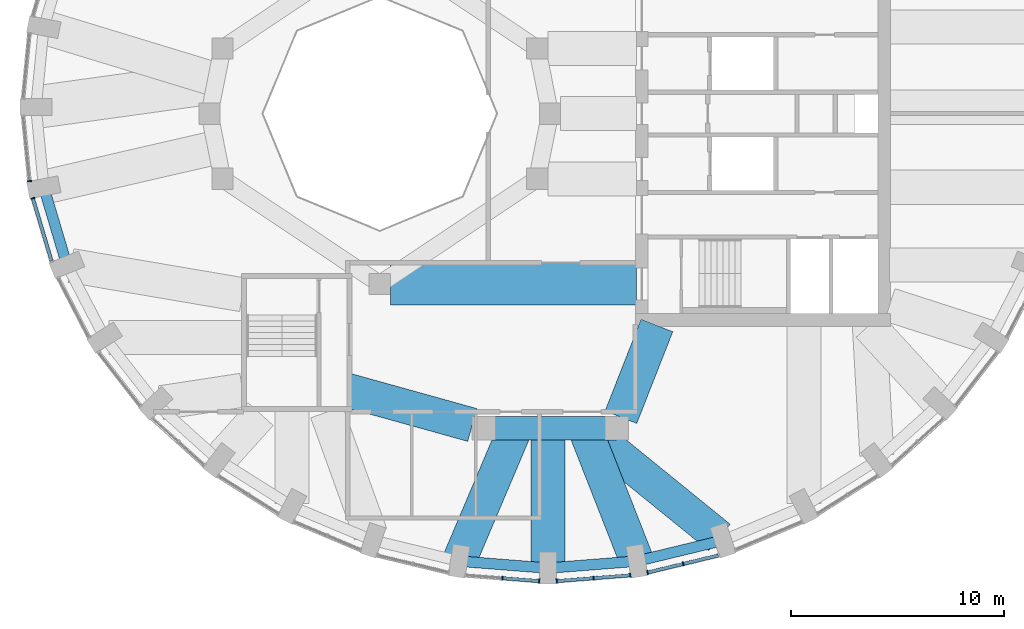
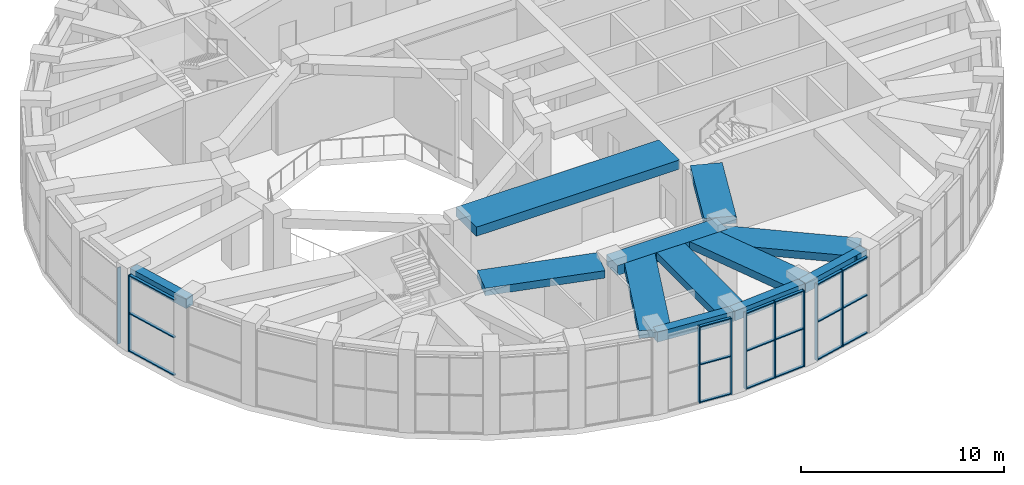
# One storey, part 3 of 16: 27 members, 12 beams, 5 elements without a shape of their own.
"""IFC4 building model written with IfcOpenShell, lengths in metres."""

from ifc_helpers import new_model, si_unit, direction, frame, origin, origin_2d, place, context, subcontext, project, spatial, rectangle, extrude, material, material_profile, profile_set, type_object, element, aggregate, save


model = new_model("IFC4")

# Units and contexts
model_context = context("Model", 3, precision=1e-05, world=origin(), true_north=direction((0.0, 1.0)))
body_context = subcontext(model_context, "Body", "Model", "MODEL_VIEW")
ifc_project = project(units=[si_unit("LENGTHUNIT", "METRE"), si_unit("AREAUNIT", "SQUARE_METRE"), si_unit("VOLUMEUNIT", "CUBIC_METRE"), si_unit("PLANEANGLEUNIT", "RADIAN"), si_unit("MASSUNIT", "GRAM", prefix="KILO")], contexts=[model_context])

# Site, building, storey
site_placement = place(None, origin())
site = spatial("IfcSite", under=ifc_project, at=site_placement, CompositionType="ELEMENT")
building_placement = place(site_placement, origin())
building = spatial("IfcBuilding", under=site, at=building_placement, Name="Taillehof Tower", CompositionType="ELEMENT")
storey_placement = place(building_placement, frame((0.0, 0.0, 264.199951171875)))
storey = spatial("IfcBuildingStorey", under=building, at=storey_placement, Name="L75", CompositionType="ELEMENT", Elevation=264.199951171875)

# Beams
ifc_material_1 = material(Name="Concrete C50/60", Category="concrete")
ifc_material_profile_1 = material_profile(ifc_material_1, rectangle(XDim=1.10009765625, YDim=0.60009765625, at=origin_2d()), Name="RC 1100x600")
ifc_profile_set_1 = profile_set([ifc_material_profile_1], Name="Concrete C50/60")
beam_type_1 = type_object("IfcBeamType", Name="Mid-ring beam C50/60 1100x600", PredefinedType="BEAM", material=ifc_profile_set_1)
beam_1_placement = place(storey_placement, frame((-3.125732421875, -14.772216796875, 4.2900390625), z_axis=(1.0, 0.0, 0.0), x_axis=(0.0, 1.0, 0.0)))
element("IfcBeam", 1, at=beam_1_placement, inside=storey, type_object=beam_type_1, Name="Mid-ring beam MB02", PredefinedType="BEAM", context=body_context, shape_type="SweptSolid", body=[
    extrude(rectangle(XDim=1.10009765625, YDim=0.60009765625, at=origin_2d()), origin(), (0.0, 0.0, 1.0), 6.25146484375),
])
ifc_material_2 = material(Name="Concrete C50/60", Category="concrete")
ifc_material_profile_2 = material_profile(ifc_material_2, rectangle(XDim=1.60009765625, YDim=0.449951171875, at=origin_2d()), Name="RC 1600x450")
ifc_profile_set_2 = profile_set([ifc_material_profile_2], Name="Concrete C50/60")
beam_type_2 = type_object("IfcBeamType", Name="Radial band beam C50/60 1600x450", PredefinedType="BEAM", material=ifc_profile_set_2)
beam_2_placement = place(storey_placement, frame((-4.276123046875, -21.02099609375, 4.364990234375), z_axis=(0.390474101739, 0.920613912491, 0.0), x_axis=(-0.920613912491, 0.390474101739, 0.0)))
element("IfcBeam", 2, at=beam_2_placement, inside=storey, type_object=beam_type_2, Name="Radial band beam RB27", PredefinedType="BEAM", context=body_context, shape_type="SweptSolid", body=[
    extrude(rectangle(XDim=1.60009765625, YDim=0.449951171875, at=origin_2d()), origin(), (0.0, 0.0, 1.0), 6.78759765625),
])
beam_3_placement = place(storey_placement, frame((-0.10009765625, -21.35009765625, 4.364990234375), z_axis=(0.0, 1.0, 0.0), x_axis=(-1.0, 0.0, 0.0)))
element("IfcBeam", 3, at=beam_3_placement, inside=storey, type_object=beam_type_2, Name="Radial band beam RB28", PredefinedType="BEAM", context=body_context, shape_type="SweptSolid", body=[
    extrude(rectangle(XDim=1.60009765625, YDim=0.449951171875, at=origin_2d()), origin(), (0.0, 0.0, 1.0), 6.577880859375),
])
beam_4_placement = place(storey_placement, frame((4.076171875, -21.02099609375, 4.364990234375), z_axis=(-0.365079492969, 0.93097634976, 0.0), x_axis=(-0.93097634976, -0.365079492969, 0.0)))
element("IfcBeam", 4, at=beam_4_placement, inside=storey, type_object=beam_type_2, Name="Radial band beam RB29", PredefinedType="BEAM", context=body_context, shape_type="SweptSolid", body=[
    extrude(rectangle(XDim=1.60009765625, YDim=0.449951171875, at=origin_2d()), origin(), (0.0, 0.0, 1.0), 6.712158203125),
])
beam_5_placement = place(storey_placement, frame((7.9560546875, -19.90673828125, 4.364990234375), z_axis=(-0.776646099525, 0.629937168369, 0.0), x_axis=(-0.629937168369, -0.776646099525, 0.0)))
element("IfcBeam", 5, at=beam_5_placement, inside=storey, type_object=beam_type_2, Name="Radial band beam RB30", PredefinedType="BEAM", context=body_context, shape_type="SweptSolid", body=[
    extrude(rectangle(XDim=1.60009765625, YDim=0.449951171875, at=origin_2d()), origin(), (0.0, 0.0, 1.0), 8.03759765625),
])
beam_6_placement = place(storey_placement, frame((-3.655517578125, -14.624755859375, 4.364990234375), z_axis=(-0.963459369536, 0.267854518821, 0.0), x_axis=(-0.267854518821, -0.963459369536, 0.0)))
element("IfcBeam", 6, at=beam_6_placement, inside=storey, type_object=beam_type_2, Name="Inner band beam IB214", PredefinedType="BEAM", context=body_context, shape_type="SweptSolid", body=[
    extrude(rectangle(XDim=1.60009765625, YDim=0.449951171875, at=origin_2d()), origin(), (0.0, 0.0, 1.0), 6.096923828125),
])
beam_7_placement = place(storey_placement, frame((3.32666015625, -14.26025390625, 4.364990234375), z_axis=(0.365588707223, 0.930776502255, 0.0), x_axis=(-0.930776502255, 0.365588707223, 0.0)))
element("IfcBeam", 7, at=beam_7_placement, inside=storey, type_object=beam_type_2, Name="Inner band beam IB215", PredefinedType="BEAM", context=body_context, shape_type="SweptSolid", body=[
    extrude(rectangle(XDim=1.60009765625, YDim=0.449951171875, at=origin_2d()), origin(), (0.0, 0.0, 1.0), 4.627197265625),
])
ifc_material_3 = material(Name="Concrete C50/60", Category="concrete")
ifc_material_profile_3 = material_profile(ifc_material_3, rectangle(XDim=2.0, YDim=0.550048828125, at=origin_2d()), Name="RC 2000x550")
ifc_profile_set_3 = profile_set([ifc_material_profile_3], Name="Concrete C50/60")
beam_type_3 = type_object("IfcBeamType", Name="Radial band beam C50/60 2000x550", PredefinedType="BEAM", material=ifc_profile_set_3)
beam_8_placement = place(storey_placement, frame((-7.5, -8.0, 4.31494140625), z_axis=(1.0, 0.0, 0.0), x_axis=(0.0, 1.0, 0.0)))
element("IfcBeam", 8, at=beam_8_placement, inside=storey, type_object=beam_type_3, Name="Inner band beam IB113", PredefinedType="BEAM", context=body_context, shape_type="SweptSolid", body=[
    extrude(rectangle(XDim=2.0, YDim=0.550048828125, at=origin_2d()), origin(), (0.0, 0.0, 1.0), 11.550048828125),
])

# Curtain wall, member
ifc_material_4 = material(Name="Aluminium curtain wall with Clear laminated safety glass", Category="aluminium")
curtain_wall_type = type_object("IfcCurtainWallType", Name="Sky restaurant curtain wall", PredefinedType="USERDEFINED", material=ifc_material_4)
curtain_wall_1_placement = place(storey_placement, origin())
curtain_wall_1 = element("IfcCurtainWall", 9, at=curtain_wall_1_placement, inside=storey, type_object=curtain_wall_type, Name="Sky restaurant L75 bay 19", ObjectType="WINDOW WALL", PredefinedType="USERDEFINED")
ifc_material_5 = material(Name="Aluminium mullion", Category="aluminium")
ifc_material_profile_4 = material_profile(ifc_material_5, rectangle(XDim=0.199951171875, YDim=0.06005859375, at=origin_2d()), Name="AL 60x200")
ifc_profile_set_4 = profile_set([ifc_material_profile_4], Name="Aluminium mullion")
member_type_1 = type_object("IfcMemberType", Name="Sky restaurant mullion 60x200", PredefinedType="MULLION", material=ifc_profile_set_4)
member_1_placement = place(storey_placement, frame((-24.4521484375, -3.172119140625, 0.0), z_axis=(0.0, 0.0, 1.0), x_axis=(0.995312250248, 0.0967136211, 0.0)))
member_1 = element("IfcMember", 10, at=member_1_placement, type_object=member_type_1, Name="CT5E19 mullion 2", PredefinedType="MULLION", context=body_context, shape_type="SweptSolid", body=[
    extrude(rectangle(XDim=0.199951171875, YDim=0.06005859375, at=origin_2d()), origin(), (0.0, 0.0, 1.0), 4.590087890625),
])
aggregate(curtain_wall_1, [member_1])

curtain_wall_2_placement = place(storey_placement, origin())
curtain_wall_2 = element("IfcCurtainWall", 11, at=curtain_wall_2_placement, inside=storey, type_object=curtain_wall_type, Name="Sky restaurant L75 bay 20", ObjectType="WINDOW WALL", PredefinedType="USERDEFINED")
member_2_placement = place(storey_placement, frame((-24.294677734375, -3.976806640625, 0.0), z_axis=(0.0, 0.0, 1.0), x_axis=(0.958457446134, 0.285235558707, 0.0)))
member_2 = element("IfcMember", 12, at=member_2_placement, type_object=member_type_1, Name="CT5E20 mullion 1", PredefinedType="MULLION", context=body_context, shape_type="SweptSolid", body=[
    extrude(rectangle(XDim=0.199951171875, YDim=0.06005859375, at=origin_2d()), origin(), (0.0, 0.0, 1.0), 4.590087890625),
])

# Curtain wall, members
curtain_wall_3_placement = place(storey_placement, origin())
curtain_wall_3 = element("IfcCurtainWall", 13, at=curtain_wall_3_placement, inside=storey, type_object=curtain_wall_type, Name="Sky restaurant L75 bay 27", ObjectType="WINDOW WALL", PredefinedType="USERDEFINED")
member_3_placement = place(storey_placement, frame((-2.238525390625, -21.8212890625, 0.0), z_axis=(0.0, 0.0, 1.0), x_axis=(0.078525059075, 0.996912140109, 0.0)))
member_3 = element("IfcMember", 14, at=member_3_placement, type_object=member_type_1, Name="CT5E27 mullion 2", PredefinedType="MULLION", context=body_context, shape_type="SweptSolid", body=[
    extrude(rectangle(XDim=0.199951171875, YDim=0.06005859375, at=origin_2d()), origin(), (0.0, 0.0, 1.0), 4.590087890625),
])
member_4_placement = place(storey_placement, frame((-0.510009765625, -21.957275390625, 0.0), z_axis=(0.0, 0.0, 1.0), x_axis=(0.078525059075, 0.996912140109, 0.0)))
member_4 = element("IfcMember", 15, at=member_4_placement, type_object=member_type_1, Name="CT5E27 mullion 3", PredefinedType="MULLION", context=body_context, shape_type="SweptSolid", body=[
    extrude(rectangle(XDim=0.199951171875, YDim=0.06005859375, at=origin_2d()), origin(), (0.0, 0.0, 1.0), 4.590087890625),
])

curtain_wall_4_placement = place(storey_placement, origin())
curtain_wall_4 = element("IfcCurtainWall", 16, at=curtain_wall_4_placement, inside=storey, type_object=curtain_wall_type, Name="Sky restaurant L75 bay 28", ObjectType="WINDOW WALL", PredefinedType="USERDEFINED")
member_5_placement = place(storey_placement, frame((0.31005859375, -21.957275390625, 0.0), z_axis=(0.0, 0.0, 1.0), x_axis=(-0.078525059075, 0.996912140109, 0.0)))
member_5 = element("IfcMember", 17, at=member_5_placement, type_object=member_type_1, Name="CT5E28 mullion 1", PredefinedType="MULLION", context=body_context, shape_type="SweptSolid", body=[
    extrude(rectangle(XDim=0.199951171875, YDim=0.06005859375, at=origin_2d()), origin(), (0.0, 0.0, 1.0), 4.590087890625),
])
member_6_placement = place(storey_placement, frame((2.038330078125, -21.8212890625, 0.0), z_axis=(0.0, 0.0, 1.0), x_axis=(-0.078525059075, 0.996912140109, 0.0)))
member_6 = element("IfcMember", 18, at=member_6_placement, type_object=member_type_1, Name="CT5E28 mullion 2", PredefinedType="MULLION", context=body_context, shape_type="SweptSolid", body=[
    extrude(rectangle(XDim=0.199951171875, YDim=0.06005859375, at=origin_2d()), origin(), (0.0, 0.0, 1.0), 4.590087890625),
])
member_7_placement = place(storey_placement, frame((3.766845703125, -21.68505859375, 0.0), z_axis=(0.0, 0.0, 1.0), x_axis=(-0.078525059075, 0.996912140109, 0.0)))
member_7 = element("IfcMember", 19, at=member_7_placement, type_object=member_type_1, Name="CT5E28 mullion 3", PredefinedType="MULLION", context=body_context, shape_type="SweptSolid", body=[
    extrude(rectangle(XDim=0.199951171875, YDim=0.06005859375, at=origin_2d()), origin(), (0.0, 0.0, 1.0), 4.590087890625),
])

curtain_wall_5_placement = place(storey_placement, origin())
curtain_wall_5 = element("IfcCurtainWall", 20, at=curtain_wall_5_placement, inside=storey, type_object=curtain_wall_type, Name="Sky restaurant L75 bay 29", ObjectType="WINDOW WALL", PredefinedType="USERDEFINED")
member_8_placement = place(storey_placement, frame((4.57666015625, -21.556396484375, 0.0), z_axis=(0.0, 0.0, 1.0), x_axis=(-0.234514520129, 0.972112616855, 0.0)))
member_8 = element("IfcMember", 21, at=member_8_placement, type_object=member_type_1, Name="CT5E29 mullion 1", PredefinedType="MULLION", context=body_context, shape_type="SweptSolid", body=[
    extrude(rectangle(XDim=0.199951171875, YDim=0.06005859375, at=origin_2d()), origin(), (0.0, 0.0, 1.0), 4.590087890625),
])
member_9_placement = place(storey_placement, frame((6.2509765625, -21.15234375, 0.0), z_axis=(0.0, 0.0, 1.0), x_axis=(-0.234514520129, 0.972112616855, 0.0)))
member_9 = element("IfcMember", 22, at=member_9_placement, type_object=member_type_1, Name="CT5E29 mullion 2", PredefinedType="MULLION", context=body_context, shape_type="SweptSolid", body=[
    extrude(rectangle(XDim=0.199951171875, YDim=0.06005859375, at=origin_2d()), origin(), (0.0, 0.0, 1.0), 4.590087890625),
])

# Member
ifc_material_6 = material(Name="Aluminium transom", Category="aluminium")
ifc_material_profile_5 = material_profile(ifc_material_6, rectangle(XDim=0.159912109375, YDim=0.06005859375, at=origin_2d()), Name="AL 160x60")
ifc_profile_set_5 = profile_set([ifc_material_profile_5], Name="Aluminium transom")
member_type_2 = type_object("IfcMemberType", Name="Sky restaurant transom 160x60", PredefinedType="USERDEFINED", material=ifc_profile_set_5)
member_10_placement = place(storey_placement, frame((-24.2861328125, -4.005615234375, 0.030029296875), z_axis=(0.285233402004, -0.958458087963, 0.0), x_axis=(0.958458087963, 0.285233402004, 0.0)))
member_10 = element("IfcMember", 23, at=member_10_placement, type_object=member_type_2, Name="CT5E20 transom 1.1", ObjectType="TRANSOM", PredefinedType="USERDEFINED", context=body_context, shape_type="SweptSolid", body=[
    extrude(rectangle(XDim=0.159912109375, YDim=0.06005859375, at=origin_2d()), origin(), (0.0, 0.0, 1.0), 3.041015625),
])

member_11_placement = place(storey_placement, frame((-24.2861328125, -4.005615234375, 2.295166015625), z_axis=(0.285233402004, -0.958458087963, 0.0), x_axis=(0.958458087963, 0.285233402004, 0.0)))
member_11 = element("IfcMember", 24, at=member_11_placement, type_object=member_type_2, Name="CT5E20 transom 1.2", ObjectType="TRANSOM", PredefinedType="USERDEFINED", context=body_context, shape_type="SweptSolid", body=[
    extrude(rectangle(XDim=0.159912109375, YDim=0.06005859375, at=origin_2d()), origin(), (0.0, 0.0, 1.0), 3.041015625),
])

member_12_placement = place(storey_placement, frame((-24.2861328125, -4.005615234375, 4.56005859375), z_axis=(0.285233402004, -0.958458087963, 0.0), x_axis=(0.958458087963, 0.285233402004, 0.0)))
member_12 = element("IfcMember", 25, at=member_12_placement, type_object=member_type_2, Name="CT5E20 transom 1.3", ObjectType="TRANSOM", PredefinedType="USERDEFINED", context=body_context, shape_type="SweptSolid", body=[
    extrude(rectangle(XDim=0.159912109375, YDim=0.06005859375, at=origin_2d()), origin(), (0.0, 0.0, 1.0), 3.041015625),
])

aggregate(curtain_wall_2, [member_2, member_10, member_11, member_12])

member_13_placement = place(storey_placement, frame((-2.20849609375, -21.823486328125, 0.030029296875), z_axis=(0.996905071053, -0.078614752494, 0.0), x_axis=(0.078614752494, 0.996905071053, 0.0)))
member_13 = element("IfcMember", 26, at=member_13_placement, type_object=member_type_2, Name="CT5E27 transom 2.1", ObjectType="TRANSOM", PredefinedType="USERDEFINED", context=body_context, shape_type="SweptSolid", body=[
    extrude(rectangle(XDim=0.159912109375, YDim=0.06005859375, at=origin_2d()), origin(), (0.0, 0.0, 1.0), 1.673828125),
])

member_14_placement = place(storey_placement, frame((-2.20849609375, -21.823486328125, 2.295166015625), z_axis=(0.996905071053, -0.078614752494, 0.0), x_axis=(0.078614752494, 0.996905071053, 0.0)))
member_14 = element("IfcMember", 27, at=member_14_placement, type_object=member_type_2, Name="CT5E27 transom 2.2", ObjectType="TRANSOM", PredefinedType="USERDEFINED", context=body_context, shape_type="SweptSolid", body=[
    extrude(rectangle(XDim=0.159912109375, YDim=0.06005859375, at=origin_2d()), origin(), (0.0, 0.0, 1.0), 1.673828125),
])

member_15_placement = place(storey_placement, frame((-2.20849609375, -21.823486328125, 4.56005859375), z_axis=(0.996905071053, -0.078614752494, 0.0), x_axis=(0.078614752494, 0.996905071053, 0.0)))
member_15 = element("IfcMember", 28, at=member_15_placement, type_object=member_type_2, Name="CT5E27 transom 2.3", ObjectType="TRANSOM", PredefinedType="USERDEFINED", context=body_context, shape_type="SweptSolid", body=[
    extrude(rectangle(XDim=0.159912109375, YDim=0.06005859375, at=origin_2d()), origin(), (0.0, 0.0, 1.0), 1.673828125),
])

aggregate(curtain_wall_3, [member_3, member_4, member_13, member_14, member_15])

member_16_placement = place(storey_placement, frame((0.33984375, -21.955078125, 0.030029296875), z_axis=(0.996905071053, 0.078614752494, 0.0), x_axis=(-0.078614752494, 0.996905071053, 0.0)))
member_16 = element("IfcMember", 29, at=member_16_placement, type_object=member_type_2, Name="CT5E28 transom 1.1", ObjectType="TRANSOM", PredefinedType="USERDEFINED", context=body_context, shape_type="SweptSolid", body=[
    extrude(rectangle(XDim=0.159912109375, YDim=0.06005859375, at=origin_2d()), origin(), (0.0, 0.0, 1.0), 1.673828125),
])

member_17_placement = place(storey_placement, frame((0.33984375, -21.955078125, 2.295166015625), z_axis=(0.996905071053, 0.078614752494, 0.0), x_axis=(-0.078614752494, 0.996905071053, 0.0)))
member_17 = element("IfcMember", 30, at=member_17_placement, type_object=member_type_2, Name="CT5E28 transom 1.2", ObjectType="TRANSOM", PredefinedType="USERDEFINED", context=body_context, shape_type="SweptSolid", body=[
    extrude(rectangle(XDim=0.159912109375, YDim=0.06005859375, at=origin_2d()), origin(), (0.0, 0.0, 1.0), 1.673828125),
])

member_18_placement = place(storey_placement, frame((0.33984375, -21.955078125, 4.56005859375), z_axis=(0.996905071053, 0.078614752494, 0.0), x_axis=(-0.078614752494, 0.996905071053, 0.0)))
member_18 = element("IfcMember", 31, at=member_18_placement, type_object=member_type_2, Name="CT5E28 transom 1.3", ObjectType="TRANSOM", PredefinedType="USERDEFINED", context=body_context, shape_type="SweptSolid", body=[
    extrude(rectangle(XDim=0.159912109375, YDim=0.06005859375, at=origin_2d()), origin(), (0.0, 0.0, 1.0), 1.673828125),
])

member_19_placement = place(storey_placement, frame((2.068359375, -21.81884765625, 0.030029296875), z_axis=(0.996916491353, 0.078469798442, 0.0), x_axis=(-0.078469798442, 0.996916491353, 0.0)))
member_19 = element("IfcMember", 32, at=member_19_placement, type_object=member_type_2, Name="CT5E28 transom 2.1", ObjectType="TRANSOM", PredefinedType="USERDEFINED", context=body_context, shape_type="SweptSolid", body=[
    extrude(rectangle(XDim=0.159912109375, YDim=0.06005859375, at=origin_2d()), origin(), (0.0, 0.0, 1.0), 1.673828125),
])

member_20_placement = place(storey_placement, frame((2.068359375, -21.81884765625, 2.295166015625), z_axis=(0.996916491353, 0.078469798442, 0.0), x_axis=(-0.078469798442, 0.996916491353, 0.0)))
member_20 = element("IfcMember", 33, at=member_20_placement, type_object=member_type_2, Name="CT5E28 transom 2.2", ObjectType="TRANSOM", PredefinedType="USERDEFINED", context=body_context, shape_type="SweptSolid", body=[
    extrude(rectangle(XDim=0.159912109375, YDim=0.06005859375, at=origin_2d()), origin(), (0.0, 0.0, 1.0), 1.673828125),
])

member_21_placement = place(storey_placement, frame((2.068359375, -21.81884765625, 4.56005859375), z_axis=(0.996916491353, 0.078469798442, 0.0), x_axis=(-0.078469798442, 0.996916491353, 0.0)))
member_21 = element("IfcMember", 34, at=member_21_placement, type_object=member_type_2, Name="CT5E28 transom 2.3", ObjectType="TRANSOM", PredefinedType="USERDEFINED", context=body_context, shape_type="SweptSolid", body=[
    extrude(rectangle(XDim=0.159912109375, YDim=0.06005859375, at=origin_2d()), origin(), (0.0, 0.0, 1.0), 1.673828125),
])

aggregate(curtain_wall_4, [member_5, member_6, member_7, member_16, member_17, member_18, member_19, member_20, member_21])

member_22_placement = place(storey_placement, frame((4.605712890625, -21.54931640625, 0.030029296875), z_axis=(0.97211338391, 0.234511340499, 0.0), x_axis=(-0.234511340499, 0.97211338391, 0.0)))
member_22 = element("IfcMember", 35, at=member_22_placement, type_object=member_type_2, Name="CT5E29 transom 1.1", ObjectType="TRANSOM", PredefinedType="USERDEFINED", context=body_context, shape_type="SweptSolid", body=[
    extrude(rectangle(XDim=0.159912109375, YDim=0.06005859375, at=origin_2d()), origin(), (0.0, 0.0, 1.0), 1.66259765625),
])

member_23_placement = place(storey_placement, frame((4.605712890625, -21.54931640625, 2.295166015625), z_axis=(0.97211338391, 0.234511340499, 0.0), x_axis=(-0.234511340499, 0.97211338391, 0.0)))
member_23 = element("IfcMember", 36, at=member_23_placement, type_object=member_type_2, Name="CT5E29 transom 1.2", ObjectType="TRANSOM", PredefinedType="USERDEFINED", context=body_context, shape_type="SweptSolid", body=[
    extrude(rectangle(XDim=0.159912109375, YDim=0.06005859375, at=origin_2d()), origin(), (0.0, 0.0, 1.0), 1.66259765625),
])

member_24_placement = place(storey_placement, frame((4.605712890625, -21.54931640625, 4.56005859375), z_axis=(0.97211338391, 0.234511340499, 0.0), x_axis=(-0.234511340499, 0.97211338391, 0.0)))
member_24 = element("IfcMember", 37, at=member_24_placement, type_object=member_type_2, Name="CT5E29 transom 1.3", ObjectType="TRANSOM", PredefinedType="USERDEFINED", context=body_context, shape_type="SweptSolid", body=[
    extrude(rectangle(XDim=0.159912109375, YDim=0.06005859375, at=origin_2d()), origin(), (0.0, 0.0, 1.0), 1.66259765625),
])

member_25_placement = place(storey_placement, frame((6.2802734375, -21.145263671875, 0.030029296875), z_axis=(0.972105306361, 0.234544821613, 0.0), x_axis=(-0.234544821613, 0.972105306361, 0.0)))
member_25 = element("IfcMember", 38, at=member_25_placement, type_object=member_type_2, Name="CT5E29 transom 2.1", ObjectType="TRANSOM", PredefinedType="USERDEFINED", context=body_context, shape_type="SweptSolid", body=[
    extrude(rectangle(XDim=0.159912109375, YDim=0.06005859375, at=origin_2d()), origin(), (0.0, 0.0, 1.0), 1.662353515625),
])

member_26_placement = place(storey_placement, frame((6.2802734375, -21.145263671875, 2.295166015625), z_axis=(0.972105306361, 0.234544821613, 0.0), x_axis=(-0.234544821613, 0.972105306361, 0.0)))
member_26 = element("IfcMember", 39, at=member_26_placement, type_object=member_type_2, Name="CT5E29 transom 2.2", ObjectType="TRANSOM", PredefinedType="USERDEFINED", context=body_context, shape_type="SweptSolid", body=[
    extrude(rectangle(XDim=0.159912109375, YDim=0.06005859375, at=origin_2d()), origin(), (0.0, 0.0, 1.0), 1.662353515625),
])

member_27_placement = place(storey_placement, frame((6.2802734375, -21.145263671875, 4.56005859375), z_axis=(0.972105306361, 0.234544821613, 0.0), x_axis=(-0.234544821613, 0.972105306361, 0.0)))
member_27 = element("IfcMember", 40, at=member_27_placement, type_object=member_type_2, Name="CT5E29 transom 2.3", ObjectType="TRANSOM", PredefinedType="USERDEFINED", context=body_context, shape_type="SweptSolid", body=[
    extrude(rectangle(XDim=0.159912109375, YDim=0.06005859375, at=origin_2d()), origin(), (0.0, 0.0, 1.0), 1.662353515625),
])

aggregate(curtain_wall_5, [member_8, member_9, member_22, member_23, member_24, member_25, member_26, member_27])

# Beams
ifc_material_7 = material(Name="Concrete C50/60", Category="concrete")
ifc_material_profile_6 = material_profile(ifc_material_7, rectangle(XDim=0.5, YDim=0.60009765625, at=origin_2d()), Name="RC 500x600")
ifc_profile_set_6 = profile_set([ifc_material_profile_6], Name="Concrete C50/60")
beam_type_4 = type_object("IfcBeamType", Name="Spandrel beam C50/60 500x600", PredefinedType="SPANDREL", material=ifc_profile_set_6)
beam_9_placement = place(storey_placement, frame((-23.78466796875, -3.45947265625, 4.2900390625), z_axis=(0.285268336874, -0.958447690788, 0.0), x_axis=(0.958447690788, 0.285268336874, 0.0)))
element("IfcBeam", 41, at=beam_9_placement, inside=storey, type_object=beam_type_4, Name="Spandrel beam SB20", PredefinedType="SPANDREL", context=body_context, shape_type="SweptSolid", body=[
    extrude(rectangle(XDim=0.5, YDim=0.60009765625, at=origin_2d()), origin(), (0.0, 0.0, 1.0), 3.80322265625),
])
beam_10_placement = place(storey_placement, frame((-4.276123046875, -21.02099609375, 4.2900390625), z_axis=(0.996909089392, -0.078563779743, 0.0), x_axis=(0.078563779743, 0.996909089392, 0.0)))
element("IfcBeam", 42, at=beam_10_placement, inside=storey, type_object=beam_type_4, Name="Spandrel beam SB27", PredefinedType="SPANDREL", context=body_context, shape_type="SweptSolid", body=[
    extrude(rectangle(XDim=0.5, YDim=0.60009765625, at=origin_2d()), origin(), (0.0, 0.0, 1.0), 4.18896484375),
])
beam_11_placement = place(storey_placement, frame((-0.10009765625, -21.35009765625, 4.2900390625), z_axis=(0.996909449091, 0.078559215326, 0.0), x_axis=(-0.078559215326, 0.996909449091, 0.0)))
element("IfcBeam", 43, at=beam_11_placement, inside=storey, type_object=beam_type_4, Name="Spandrel beam SB28", PredefinedType="SPANDREL", context=body_context, shape_type="SweptSolid", body=[
    extrude(rectangle(XDim=0.5, YDim=0.60009765625, at=origin_2d()), origin(), (0.0, 0.0, 1.0), 4.189208984375),
])
beam_12_placement = place(storey_placement, frame((4.076171875, -21.02099609375, 4.2900390625), z_axis=(0.972129209911, 0.234445727701, 0.0), x_axis=(-0.234445727701, 0.972129209911, 0.0)))
element("IfcBeam", 44, at=beam_12_placement, inside=storey, type_object=beam_type_4, Name="Spandrel beam SB29", PredefinedType="SPANDREL", context=body_context, shape_type="SweptSolid", body=[
    extrude(rectangle(XDim=0.5, YDim=0.60009765625, at=origin_2d()), origin(), (0.0, 0.0, 1.0), 4.16552734375),
])

save(model, "model.ifc")
